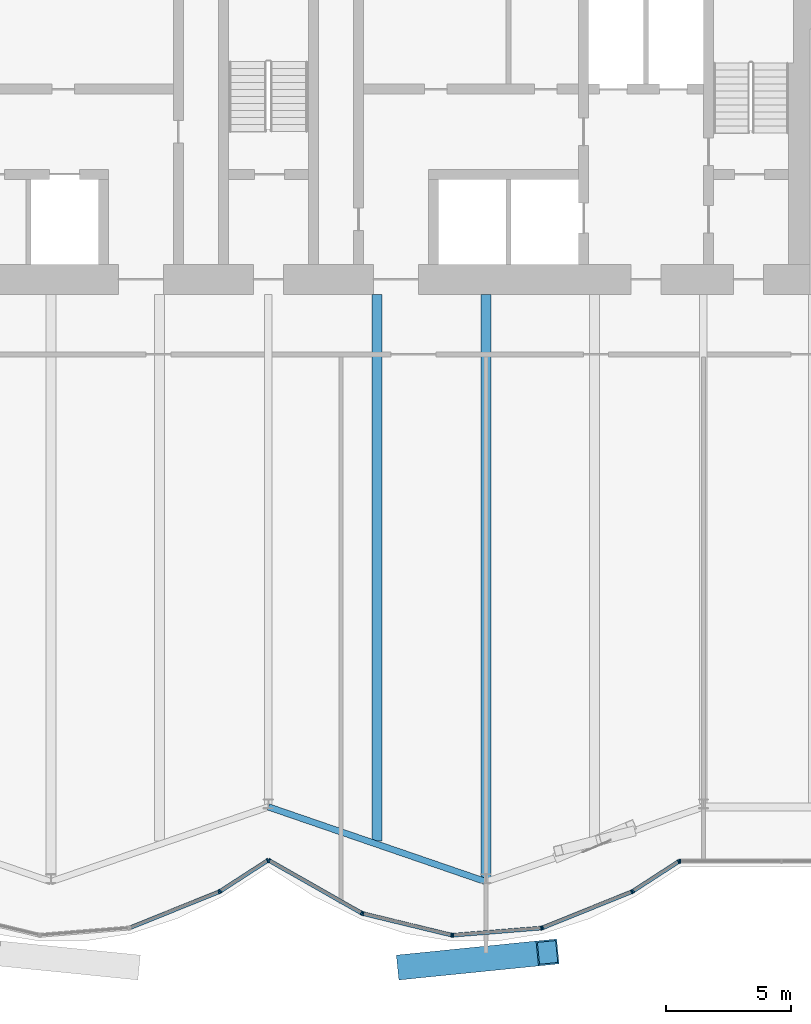
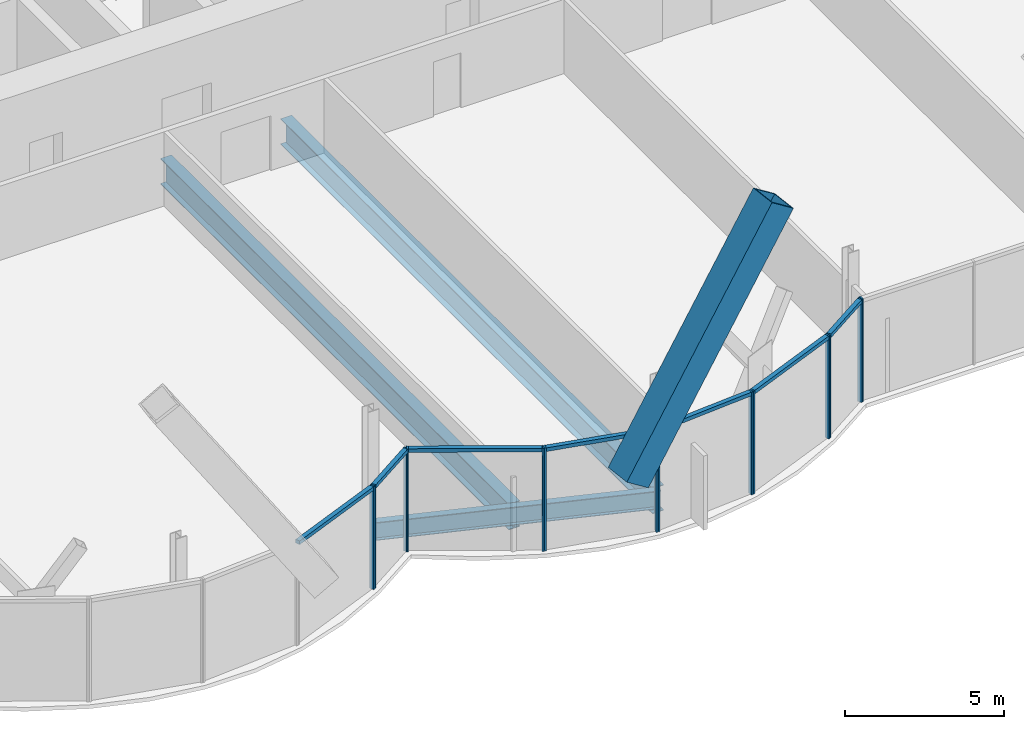
# One storey, part 8 of 22: 22 members, 3 beams, 3 elements without a shape of their own.
"""IFC4 building model written with IfcOpenShell, lengths in metres."""

import ifcopenshell
import ifcopenshell.guid

model = None  # the IFC model being written
_history = None  # IfcOwnerHistory: only IFC2X3 demands one
_inside = {}  # id of a spatial element -> (the spatial element, [elements in it])
_under = {}  # id of a project, library or spatial element -> (it, [spatial elements below it])
_declared = {}  # id of a project -> (the project, [libraries it declares])
_typed = {}  # id of a type object -> (the type object, [elements of that type])
_made_of = {}  # id of a material, layer set ... -> (it, [elements and type objects made of it])


def new_model(schema):
    """Start an empty IFC model of exactly this schema.

    Asked for "IFC4X3", IfcOpenShell would pick the latest addendum, in which some entities
    have other attributes; the version numbers below select the first issue.
    IFC2X3 requires an IfcOwnerHistory on every rooted entity: one is made here for all.
    """
    global model, _history
    if schema == "IFC4X3":
        model = ifcopenshell.file(schema_version=(4, 3, 0, 0))
    else:
        model = ifcopenshell.file(schema=schema)
    _inside.clear()
    _under.clear()
    _declared.clear()
    _typed.clear()
    _made_of.clear()
    _history = None
    if model.schema == "IFC2X3":
        org = make("IfcOrganization", Name="unknown")
        user = make(
            "IfcPersonAndOrganization",
            ThePerson=make("IfcPerson", FamilyName="unknown"),
            TheOrganization=org,
        )
        app = make(
            "IfcApplication",
            ApplicationDeveloper=org,
            Version="unknown",
            ApplicationFullName="unknown",
            ApplicationIdentifier="unknown",
        )
        _history = make(
            "IfcOwnerHistory",
            OwningUser=user,
            OwningApplication=app,
            ChangeAction="ADDED",
            CreationDate=0,
        )
    return model


def make(cls, **values):
    """One entity of the class cls with the attributes given. An attribute that is None is left unset."""
    return model.create_entity(
        cls, **{name: value for name, value in values.items() if value is not None}
    )


def rooted(cls, **values):
    """An entity with a GlobalId (a new one), such as an element, a storey or a relation."""
    return make(cls, GlobalId=ifcopenshell.guid.new(), OwnerHistory=_history, **values)


def si_unit(unit_type, name, prefix=None):
    """IfcSIUnit, for example si_unit("LENGTHUNIT", "METRE", prefix="MILLI")."""
    return make("IfcSIUnit", UnitType=unit_type, Prefix=prefix, Name=name)


def assignment(units):
    """IfcUnitAssignment: the units of a project."""
    return None if units is None else make("IfcUnitAssignment", Units=units)


def point(xyz):
    """IfcCartesianPoint."""
    return None if xyz is None else make("IfcCartesianPoint", Coordinates=xyz)


def direction(xyz):
    """IfcDirection."""
    return None if xyz is None else make("IfcDirection", DirectionRatios=xyz)


def frame(location, z_axis=None, x_axis=None):
    """IfcAxis2Placement3D, a coordinate frame: its origin and axes. An axis left out is left unset."""
    return make(
        "IfcAxis2Placement3D",
        Location=point(location),
        Axis=direction(z_axis),
        RefDirection=direction(x_axis),
    )


def frame_2d(location, x_axis=None):
    """IfcAxis2Placement2D, a coordinate frame in the plane: its origin and x axis."""
    return make(
        "IfcAxis2Placement2D", Location=point(location), RefDirection=direction(x_axis)
    )


def origin():
    """The frame at (0, 0, 0) with its axes left unset."""
    return frame((0.0, 0.0, 0.0))


def origin_2d():
    """The frame at (0, 0) in the plane with its x axis left unset."""
    return frame_2d((0.0, 0.0))


def place(relative_to, where):
    """IfcLocalPlacement: puts the frame where relative to a parent placement (None: the world)."""
    return make(
        "IfcLocalPlacement", PlacementRelTo=relative_to, RelativePlacement=where
    )


def context(
    kind, dimensions, precision=None, world=None, true_north=None, identifier=None
):
    """IfcGeometricRepresentationContext, for example the 3D "Model" context."""
    return make(
        "IfcGeometricRepresentationContext",
        ContextIdentifier=identifier,
        ContextType=kind,
        CoordinateSpaceDimension=dimensions,
        Precision=precision,
        WorldCoordinateSystem=world,
        TrueNorth=true_north,
    )


def subcontext(parent, identifier, kind, view, scale=None):
    """IfcGeometricRepresentationSubContext, for example "Body" below "Model"."""
    return make(
        "IfcGeometricRepresentationSubContext",
        ContextIdentifier=identifier,
        ContextType=kind,
        ParentContext=parent,
        TargetScale=scale,
        TargetView=view,
    )


def project(units=None, contexts=None):
    """IfcProject with its units and contexts."""
    return rooted(
        "IfcProject",
        Name="project",
        RepresentationContexts=contexts,
        UnitsInContext=assignment(units),
    )


def spatial(cls, under=None, at=None, **own):
    """A site, building, storey or space (cls), placed at a placement, below another one or the project."""
    s = rooted(cls, ObjectPlacement=at, **own)
    if under is not None:
        _under.setdefault(under.id(), (under, []))[1].append(s)
    return s


def profile(cls, at=None, kind="AREA", **sizes):
    """A parametric profile (cls). Its sizes go by their IFC names, for example OverallWidth=200.0."""
    return make(cls, ProfileType=kind, Position=at, **sizes)


def rectangle(**sizes):
    """IfcRectangleProfileDef."""
    return profile("IfcRectangleProfileDef", **sizes)


def hollow_rectangle(**sizes):
    """IfcRectangleHollowProfileDef."""
    return profile("IfcRectangleHollowProfileDef", **sizes)


def i_section(**sizes):
    """IfcIShapeProfileDef."""
    return profile("IfcIShapeProfileDef", **sizes)


def extrude(swept, where, along, depth):
    """IfcExtrudedAreaSolid: the profile swept, set in the frame where, extruded along a direction by depth."""
    return make(
        "IfcExtrudedAreaSolid",
        SweptArea=swept,
        Position=where,
        ExtrudedDirection=direction(along),
        Depth=depth,
    )


def shape(context_of_items, identifier, shape_type, items):
    """IfcShapeRepresentation: the items that make up one representation, for example the "Body"."""
    return make(
        "IfcShapeRepresentation",
        ContextOfItems=context_of_items,
        RepresentationIdentifier=identifier,
        RepresentationType=shape_type,
        Items=items,
    )


def material(Name=None, Category=None):
    """IfcMaterial."""
    return make("IfcMaterial", Name=Name, Category=Category)


def material_profile(
    of_material, cross_section, Name=None, Category=None, Priority=None
):
    """IfcMaterialProfile: a cross section and its material."""
    return make(
        "IfcMaterialProfile",
        Name=Name,
        Material=of_material,
        Profile=cross_section,
        Priority=Priority,
        Category=Category,
    )


def profile_set(profiles, Name=None, composite=None):
    """IfcMaterialProfileSet."""
    return make(
        "IfcMaterialProfileSet",
        Name=Name,
        MaterialProfiles=profiles,
        CompositeProfile=composite,
    )


def made_of(thing, what):
    """Note that an element or type object is made of a material, layer set ...; save() writes the relation."""
    if what is not None:
        _made_of.setdefault(what.id(), (what, []))[1].append(thing)
    return thing


def type_object(cls, material=None, **own):
    """A type object (cls), such as IfcWallType, which elements share."""
    return made_of(rooted(cls, **own), material)


def element(
    cls,
    number,
    at=None,
    inside=None,
    cuts=None,
    type_object=None,
    material=None,
    context=None,
    identifier="Body",
    shape_type=None,
    held_by="IfcProductDefinitionShape",
    body=None,
    shapes=None,
    **own,
):
    """One element of the class cls, such as IfcWall. Its Tag is "e" and its number.

    at: its placement. inside: the storey or other place that contains it. cuts: it is an
    opening in that element (IfcRelVoidsElement). A single representation is given by context,
    identifier, shape_type and body (its items); several are given by shapes. held_by: the class
    of the entity that holds the representations. save() writes the other relations.
    """
    e = rooted(cls, Tag="e%d" % number, ObjectPlacement=at, **own)
    if body is not None:
        shapes = [shape(context, identifier, shape_type, body)]
    if shapes is not None:
        e.Representation = make(held_by, Representations=shapes)
    if inside is not None:
        _inside.setdefault(inside.id(), (inside, []))[1].append(e)
    if cuts is not None:
        rooted(
            "IfcRelVoidsElement", RelatingBuildingElement=cuts, RelatedOpeningElement=e
        )
    if type_object is not None:
        _typed.setdefault(type_object.id(), (type_object, []))[1].append(e)
    return made_of(e, material)


def aggregate(whole, parts):
    """IfcRelAggregates: a whole, such as a stair, and the parts it consists of."""
    return rooted("IfcRelAggregates", RelatingObject=whole, RelatedObjects=parts)


def save(model, path):
    """Write the relations noted so far, then the file.

    IfcRelAggregates (storeys below a building ...), IfcRelContainedInSpatialStructure (elements
    in a storey), IfcRelDefinesByType, IfcRelAssociatesMaterial and IfcRelDeclares: one each for
    every whole, place, type object, material and project.
    """
    for whole, parts in _under.values():
        aggregate(whole, parts)
    for where, things in _inside.values():
        rooted(
            "IfcRelContainedInSpatialStructure",
            RelatedElements=things,
            RelatingStructure=where,
        )
    for kind, things in _typed.values():
        rooted("IfcRelDefinesByType", RelatedObjects=things, RelatingType=kind)
    for what, things in _made_of.values():
        rooted("IfcRelAssociatesMaterial", RelatedObjects=things, RelatingMaterial=what)
    for by, libraries in _declared.values():
        rooted("IfcRelDeclares", RelatingContext=by, RelatedDefinitions=libraries)
    model.write(path)


model = new_model("IFC4")

# Units and contexts
model_context = context("Model", 3, precision=1e-05, world=origin(), true_north=direction((0.0, 1.0)))
body_context = subcontext(model_context, "Body", "Model", "MODEL_VIEW")
ifc_project = project(units=[si_unit("LENGTHUNIT", "METRE"), si_unit("AREAUNIT", "SQUARE_METRE"), si_unit("VOLUMEUNIT", "CUBIC_METRE"), si_unit("PLANEANGLEUNIT", "RADIAN"), si_unit("MASSUNIT", "GRAM", prefix="KILO")], contexts=[model_context])

# Site, building, storey
site_placement = place(None, origin())
site = spatial("IfcSite", under=ifc_project, at=site_placement, CompositionType="ELEMENT")
building_placement = place(site_placement, origin())
building = spatial("IfcBuilding", under=site, at=building_placement, Name="Bicima Exchange Tower", CompositionType="ELEMENT")
storey_placement = place(building_placement, frame((0.0, 0.0, 144.5)))
storey = spatial("IfcBuildingStorey", under=building, at=storey_placement, Name="L31", CompositionType="ELEMENT", Elevation=144.5)

# Member
ifc_material_1 = material(Name="Steel ASTM A572 Gr 50", Category="steel")
ifc_material_profile_1 = material_profile(ifc_material_1, hollow_rectangle(XDim=1.0, YDim=1.0, WallThickness=0.06005859375, at=origin_2d()))
ifc_profile_set_1 = profile_set([ifc_material_profile_1], Name="Steel ASTM A572 Gr 50")
member_type_1 = type_object("IfcMemberType", Name="Exo mega brace BOX 1000x1000x60", PredefinedType="BRACE", material=ifc_profile_set_1)
member_1_placement = place(storey_placement, frame((5.583251953125, -39.88330078125, 3.416748046875), z_axis=(0.551958035604, 0.055606091562, 0.832015798837), x_axis=(-0.10023595765, 0.994963694209, 0.0)))
element("IfcMember", 1, at=member_1_placement, inside=storey, type_object=member_type_1, Name="Exo mega brace front", PredefinedType="BRACE", context=body_context, shape_type="SweptSolid", body=[
    extrude(hollow_rectangle(XDim=1.0, YDim=1.0, WallThickness=0.06005859375, at=origin_2d()), origin(), (0.0, 0.0, 1.0), 10.11572265625),
])

# Beams
ifc_material_2 = material(Name="Steel ASTM A992 Gr 50", Category="steel")
ifc_material_profile_2 = material_profile(ifc_material_2, i_section(OverallWidth=0.4013671875, OverallDepth=0.990478515625, WebThickness=0.0166015625, FlangeThickness=0.031005859375, at=origin_2d()))
ifc_profile_set_2 = profile_set([ifc_material_profile_2], Name="Steel ASTM A992 Gr 50")
beam_type_1 = type_object("IfcBeamType", Name="Floor beam W40x215", PredefinedType="JOIST", material=ifc_profile_set_2)
beam_1_placement = place(storey_placement, frame((4.35009765625, -13.0, -0.645263671875), z_axis=(0.0, -1.0, 0.0), x_axis=(1.0, 0.0, 0.0)))
element("IfcBeam", 2, at=beam_1_placement, inside=storey, type_object=beam_type_1, Name="Floor beam", PredefinedType="JOIST", context=body_context, shape_type="SweptSolid", body=[
    extrude(i_section(OverallWidth=0.4013671875, OverallDepth=0.990478515625, WebThickness=0.0166015625, FlangeThickness=0.031005859375, at=origin_2d()), origin(), (0.0, 0.0, 1.0), 21.85986328125),
])
beam_2_placement = place(storey_placement, frame((8.699951171875, -13.0, -0.645263671875), z_axis=(0.0, -1.0, 0.0), x_axis=(1.0, 0.0, 0.0)))
element("IfcBeam", 3, at=beam_2_placement, inside=storey, type_object=beam_type_1, Name="Floor beam", PredefinedType="JOIST", context=body_context, shape_type="SweptSolid", body=[
    extrude(i_section(OverallWidth=0.4013671875, OverallDepth=0.990478515625, WebThickness=0.0166015625, FlangeThickness=0.031005859375, at=origin_2d()), origin(), (0.0, 0.0, 1.0), 23.35546875),
])
ifc_material_profile_3 = material_profile(ifc_material_2, i_section(OverallWidth=0.256591796875, OverallDepth=0.693359375, WebThickness=0.014404296875, FlangeThickness=0.023681640625, at=origin_2d()))
ifc_profile_set_3 = profile_set([ifc_material_profile_3], Name="Steel ASTM A992 Gr 50")
beam_type_2 = type_object("IfcBeamType", Name="Front girder W27x114", PredefinedType="BEAM", material=ifc_profile_set_3)
beam_3_placement = place(storey_placement, frame((0.0, -33.5, -0.49658203125), z_axis=(0.945666456746, -0.325138359143, 0.0), x_axis=(0.325138359143, 0.945666456746, 0.0)))
element("IfcBeam", 4, at=beam_3_placement, inside=storey, type_object=beam_type_2, Name="Front girder", PredefinedType="BEAM", context=body_context, shape_type="SweptSolid", body=[
    extrude(i_section(OverallWidth=0.256591796875, OverallDepth=0.693359375, WebThickness=0.014404296875, FlangeThickness=0.023681640625, at=origin_2d()), origin(), (0.0, 0.0, 1.0), 9.19970703125),
])

# Curtain wall, members
ifc_material_3 = material(Name="Anodised bronze aluminium", Category="aluminium")
curtain_wall_type = type_object("IfcCurtainWallType", Name="Front glass wall", PredefinedType="NOTDEFINED", material=ifc_material_3)
curtain_wall_1_placement = place(storey_placement, origin())
curtain_wall_1 = element("IfcCurtainWall", 5, at=curtain_wall_1_placement, inside=storey, type_object=curtain_wall_type, Name="Front glass wall L31 run 6", PredefinedType="NOTDEFINED")
ifc_material_profile_4 = material_profile(ifc_material_3, rectangle(XDim=0.159912109375, YDim=0.06005859375, at=origin_2d()))
ifc_profile_set_4 = profile_set([ifc_material_profile_4], Name="Anodised bronze aluminium")
member_type_2 = type_object("IfcMemberType", Name="Front glass wall mullion 60 x 160", PredefinedType="MULLION", material=ifc_profile_set_4)
member_2_placement = place(storey_placement, frame((-1.97412109375, -36.8955078125, 0.0), z_axis=(0.0, 0.0, 1.0), x_axis=(-0.374705304, 0.92714396679, 0.0)))
member_2 = element("IfcMember", 6, at=member_2_placement, type_object=member_type_2, Name="Front glass wall mullion 2", PredefinedType="MULLION", context=body_context, shape_type="SweptSolid", body=[
    extrude(rectangle(XDim=0.159912109375, YDim=0.06005859375, at=origin_2d()), origin(), (0.0, 0.0, 1.0), 3.949951171875),
])
member_3_placement = place(storey_placement, frame((-1.921142578125, -36.8681640625, 0.0), z_axis=(0.0, 0.0, 1.0), x_axis=(-0.542897457326, 0.839798994301, 0.0)))
member_3 = element("IfcMember", 7, at=member_3_placement, type_object=member_type_2, Name="Front glass wall mullion 1", PredefinedType="MULLION", context=body_context, shape_type="SweptSolid", body=[
    extrude(rectangle(XDim=0.159912109375, YDim=0.06005859375, at=origin_2d()), origin(), (0.0, 0.0, 1.0), 3.949951171875),
])
member_4_placement = place(storey_placement, frame((-0.025146484375, -35.642333984375, 0.0), z_axis=(0.0, 0.0, 1.0), x_axis=(-0.542897457326, 0.839798994301, 0.0)))
member_4 = element("IfcMember", 8, at=member_4_placement, type_object=member_type_2, Name="Front glass wall mullion 2", PredefinedType="MULLION", context=body_context, shape_type="SweptSolid", body=[
    extrude(rectangle(XDim=0.159912109375, YDim=0.06005859375, at=origin_2d()), origin(), (0.0, 0.0, 1.0), 3.949951171875),
])

curtain_wall_2_placement = place(storey_placement, origin())
curtain_wall_2 = element("IfcCurtainWall", 9, at=curtain_wall_2_placement, inside=storey, type_object=curtain_wall_type, Name="Front glass wall L31 run 11", PredefinedType="NOTDEFINED")
member_5_placement = place(storey_placement, frame((0.026123046875, -35.64111328125, 0.0), z_axis=(0.0, 0.0, 1.0), x_axis=(0.494330311331, 0.869274147378, 0.0)))
member_5 = element("IfcMember", 10, at=member_5_placement, type_object=member_type_2, Name="Front glass wall mullion 1", PredefinedType="MULLION", context=body_context, shape_type="SweptSolid", body=[
    extrude(rectangle(XDim=0.159912109375, YDim=0.06005859375, at=origin_2d()), origin(), (0.0, 0.0, 1.0), 3.949951171875),
])
member_6_placement = place(storey_placement, frame((3.7265625, -37.745361328125, 0.0), z_axis=(0.0, 0.0, 1.0), x_axis=(0.494330311331, 0.869274147378, 0.0)))
member_6 = element("IfcMember", 11, at=member_6_placement, type_object=member_type_2, Name="Front glass wall mullion 2", PredefinedType="MULLION", context=body_context, shape_type="SweptSolid", body=[
    extrude(rectangle(XDim=0.159912109375, YDim=0.06005859375, at=origin_2d()), origin(), (0.0, 0.0, 1.0), 3.949951171875),
])
member_7_placement = place(storey_placement, frame((3.781982421875, -37.767333984375, 0.0), z_axis=(0.0, 0.0, 1.0), x_axis=(0.235681529503, 0.971830343553, 0.0)))
member_7 = element("IfcMember", 12, at=member_7_placement, type_object=member_type_2, Name="Front glass wall mullion 1", PredefinedType="MULLION", context=body_context, shape_type="SweptSolid", body=[
    extrude(rectangle(XDim=0.159912109375, YDim=0.06005859375, at=origin_2d()), origin(), (0.0, 0.0, 1.0), 3.949951171875),
])
member_8_placement = place(storey_placement, frame((7.322509765625, -38.6259765625, 0.0), z_axis=(0.0, 0.0, 1.0), x_axis=(0.235681529503, 0.971830343553, 0.0)))
member_8 = element("IfcMember", 13, at=member_8_placement, type_object=member_type_2, Name="Front glass wall mullion 2", PredefinedType="MULLION", context=body_context, shape_type="SweptSolid", body=[
    extrude(rectangle(XDim=0.159912109375, YDim=0.06005859375, at=origin_2d()), origin(), (0.0, 0.0, 1.0), 3.949951171875),
])
member_9_placement = place(storey_placement, frame((7.381591796875, -38.630615234375, 0.0), z_axis=(0.0, 0.0, 1.0), x_axis=(-0.080588612633, 0.99674744821, 0.0)))
member_9 = element("IfcMember", 14, at=member_9_placement, type_object=member_type_2, Name="Front glass wall mullion 1", PredefinedType="MULLION", context=body_context, shape_type="SweptSolid", body=[
    extrude(rectangle(XDim=0.159912109375, YDim=0.06005859375, at=origin_2d()), origin(), (0.0, 0.0, 1.0), 3.949951171875),
])
member_10_placement = place(storey_placement, frame((10.916015625, -38.3447265625, 0.0), z_axis=(0.0, 0.0, 1.0), x_axis=(-0.080588612633, 0.99674744821, 0.0)))
member_10 = element("IfcMember", 15, at=member_10_placement, type_object=member_type_2, Name="Front glass wall mullion 2", PredefinedType="MULLION", context=body_context, shape_type="SweptSolid", body=[
    extrude(rectangle(XDim=0.159912109375, YDim=0.06005859375, at=origin_2d()), origin(), (0.0, 0.0, 1.0), 3.949951171875),
])
member_11_placement = place(storey_placement, frame((10.973876953125, -38.331298828125, 0.0), z_axis=(0.0, 0.0, 1.0), x_axis=(-0.374705304, 0.92714396679, 0.0)))
member_11 = element("IfcMember", 16, at=member_11_placement, type_object=member_type_2, Name="Front glass wall mullion 1", PredefinedType="MULLION", context=body_context, shape_type="SweptSolid", body=[
    extrude(rectangle(XDim=0.159912109375, YDim=0.06005859375, at=origin_2d()), origin(), (0.0, 0.0, 1.0), 3.949951171875),
])
member_12_placement = place(storey_placement, frame((14.52587890625, -36.8955078125, 0.0), z_axis=(0.0, 0.0, 1.0), x_axis=(-0.374705304, 0.92714396679, 0.0)))
member_12 = element("IfcMember", 17, at=member_12_placement, type_object=member_type_2, Name="Front glass wall mullion 2", PredefinedType="MULLION", context=body_context, shape_type="SweptSolid", body=[
    extrude(rectangle(XDim=0.159912109375, YDim=0.06005859375, at=origin_2d()), origin(), (0.0, 0.0, 1.0), 3.949951171875),
])
member_13_placement = place(storey_placement, frame((14.578857421875, -36.8681640625, 0.0), z_axis=(0.0, 0.0, 1.0), x_axis=(-0.542909183079, 0.839791413941, 0.0)))
member_13 = element("IfcMember", 18, at=member_13_placement, type_object=member_type_2, Name="Front glass wall mullion 1", PredefinedType="MULLION", context=body_context, shape_type="SweptSolid", body=[
    extrude(rectangle(XDim=0.159912109375, YDim=0.06005859375, at=origin_2d()), origin(), (0.0, 0.0, 1.0), 3.949951171875),
])
member_14_placement = place(storey_placement, frame((16.406982421875, -35.686279296875, 0.0), z_axis=(0.0, 0.0, 1.0), x_axis=(-0.542909183079, 0.839791413941, 0.0)))
member_14 = element("IfcMember", 19, at=member_14_placement, type_object=member_type_2, Name="Front glass wall mullion 2", PredefinedType="MULLION", context=body_context, shape_type="SweptSolid", body=[
    extrude(rectangle(XDim=0.159912109375, YDim=0.06005859375, at=origin_2d()), origin(), (0.0, 0.0, 1.0), 3.949951171875),
])

# Curtain wall, member
curtain_wall_3_placement = place(storey_placement, origin())
curtain_wall_3 = element("IfcCurtainWall", 20, at=curtain_wall_3_placement, inside=storey, type_object=curtain_wall_type, Name="Front glass wall L31 run 16", PredefinedType="NOTDEFINED")
member_15_placement = place(storey_placement, frame((16.462158203125, -35.669921875, 0.0), z_axis=(0.0, 0.0, 1.0), x_axis=(0.0, 1.0, 0.0)))
member_15 = element("IfcMember", 21, at=member_15_placement, type_object=member_type_2, Name="Front glass wall mullion 1", PredefinedType="MULLION", context=body_context, shape_type="SweptSolid", body=[
    extrude(rectangle(XDim=0.159912109375, YDim=0.06005859375, at=origin_2d()), origin(), (0.0, 0.0, 1.0), 3.949951171875),
])
aggregate(curtain_wall_3, [member_15])

# Member
ifc_material_profile_5 = material_profile(ifc_material_3, rectangle(XDim=0.159912109375, YDim=0.139892578125, at=origin_2d()))
ifc_profile_set_5 = profile_set([ifc_material_profile_5], Name="Anodised bronze aluminium")
member_type_3 = type_object("IfcMemberType", Name="Front glass wall transom 140 x 160", PredefinedType="USERDEFINED", material=ifc_profile_set_5)
member_16_placement = place(storey_placement, frame((-5.498291015625, -38.31982421875, 3.8798828125), z_axis=(0.927140215882, 0.374714584842, 0.0), x_axis=(-0.374714584842, 0.927140215882, 0.0)))
member_16 = element("IfcMember", 22, at=member_16_placement, type_object=member_type_3, Name="Front glass wall transom 1.1", ObjectType="TRANSOM", PredefinedType="USERDEFINED", context=body_context, shape_type="SweptSolid", body=[
    extrude(rectangle(XDim=0.159912109375, YDim=0.139892578125, at=origin_2d()), origin(), (0.0, 0.0, 1.0), 3.77099609375),
])

member_17_placement = place(storey_placement, frame((-1.89599609375, -36.851806640625, 3.8798828125), z_axis=(0.839811483481, 0.542878137536, 0.0), x_axis=(-0.542878137536, 0.839811483481, 0.0)))
member_17 = element("IfcMember", 23, at=member_17_placement, type_object=member_type_3, Name="Front glass wall transom 1.1", ObjectType="TRANSOM", PredefinedType="USERDEFINED", context=body_context, shape_type="SweptSolid", body=[
    extrude(rectangle(XDim=0.159912109375, YDim=0.139892578125, at=origin_2d()), origin(), (0.0, 0.0, 1.0), 2.19775390625),
])

aggregate(curtain_wall_1, [member_2, member_16, member_3, member_4, member_17])

member_18_placement = place(storey_placement, frame((0.05224609375, -35.65576171875, 3.8798828125), z_axis=(0.869265121745, -0.494346182466, 0.0), x_axis=(0.494346182466, 0.869265121745, 0.0)))
member_18 = element("IfcMember", 24, at=member_18_placement, type_object=member_type_3, Name="Front glass wall transom 1.1", ObjectType="TRANSOM", PredefinedType="USERDEFINED", context=body_context, shape_type="SweptSolid", body=[
    extrude(rectangle(XDim=0.159912109375, YDim=0.139892578125, at=origin_2d()), origin(), (0.0, 0.0, 1.0), 4.19677734375),
])

member_19_placement = place(storey_placement, frame((3.81103515625, -37.7744140625, 3.8798828125), z_axis=(0.971833557815, -0.235668275132, 0.0), x_axis=(0.235668275132, 0.971833557815, 0.0)))
member_19 = element("IfcMember", 25, at=member_19_placement, type_object=member_type_3, Name="Front glass wall transom 1.1", ObjectType="TRANSOM", PredefinedType="USERDEFINED", context=body_context, shape_type="SweptSolid", body=[
    extrude(rectangle(XDim=0.159912109375, YDim=0.139892578125, at=origin_2d()), origin(), (0.0, 0.0, 1.0), 3.583251953125),
])

member_20_placement = place(storey_placement, frame((7.41162109375, -38.628173828125, 3.8798828125), z_axis=(0.9967456465, 0.080610893699, 0.0), x_axis=(-0.080610893699, 0.9967456465, 0.0)))
member_20 = element("IfcMember", 26, at=member_20_placement, type_object=member_type_3, Name="Front glass wall transom 1.1", ObjectType="TRANSOM", PredefinedType="USERDEFINED", context=body_context, shape_type="SweptSolid", body=[
    extrude(rectangle(XDim=0.159912109375, YDim=0.139892578125, at=origin_2d()), origin(), (0.0, 0.0, 1.0), 3.48583984375),
])

member_21_placement = place(storey_placement, frame((11.001708984375, -38.31982421875, 3.8798828125), z_axis=(0.927140215882, 0.374714584842, 0.0), x_axis=(-0.374714584842, 0.927140215882, 0.0)))
member_21 = element("IfcMember", 27, at=member_21_placement, type_object=member_type_3, Name="Front glass wall transom 1.1", ObjectType="TRANSOM", PredefinedType="USERDEFINED", context=body_context, shape_type="SweptSolid", body=[
    extrude(rectangle(XDim=0.159912109375, YDim=0.139892578125, at=origin_2d()), origin(), (0.0, 0.0, 1.0), 3.77099609375),
])

member_22_placement = place(storey_placement, frame((14.60400390625, -36.851806640625, 3.8798828125), z_axis=(0.839792890287, 0.542906899407, 0.0), x_axis=(-0.542906899407, 0.839792890287, 0.0)))
member_22 = element("IfcMember", 28, at=member_22_placement, type_object=member_type_3, Name="Front glass wall transom 1.1", ObjectType="TRANSOM", PredefinedType="USERDEFINED", context=body_context, shape_type="SweptSolid", body=[
    extrude(rectangle(XDim=0.159912109375, YDim=0.139892578125, at=origin_2d()), origin(), (0.0, 0.0, 1.0), 2.11669921875),
])

aggregate(curtain_wall_2, [member_5, member_6, member_18, member_7, member_8, member_19, member_9, member_10, member_20, member_11, member_12, member_21, member_13, member_14, member_22])

save(model, "model.ifc")
